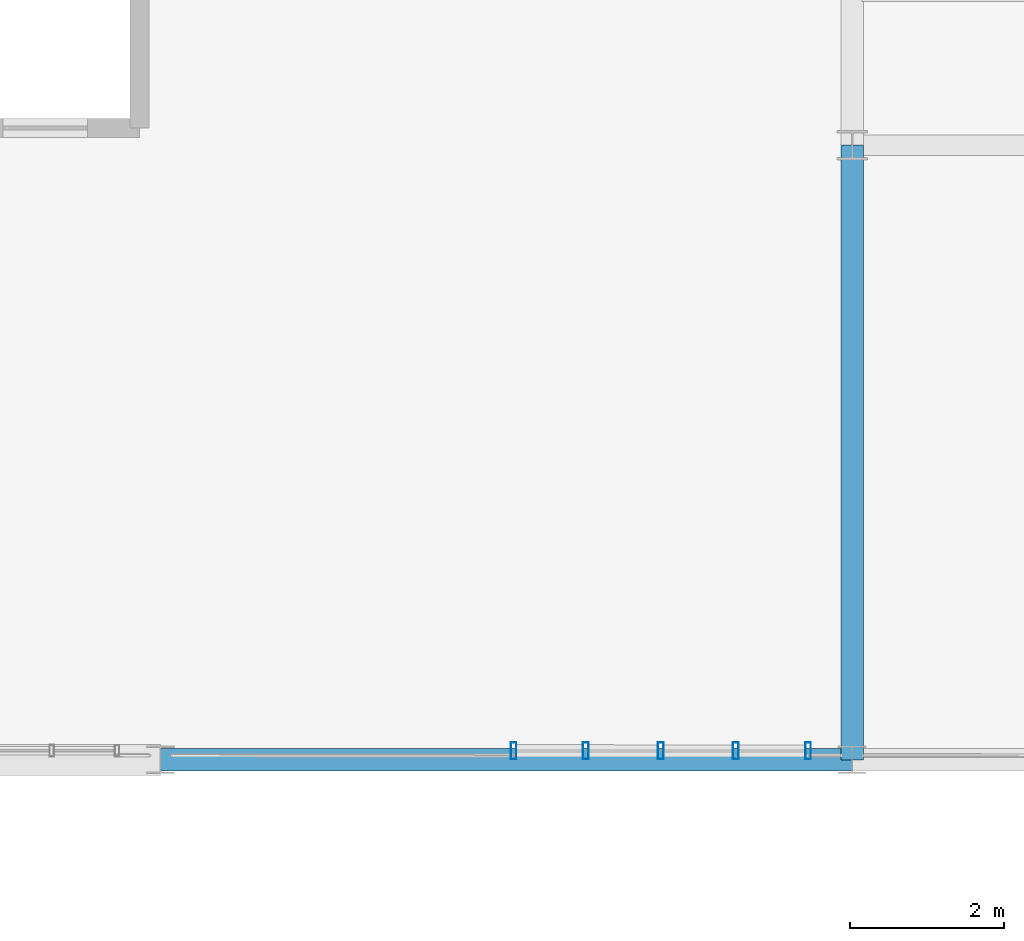
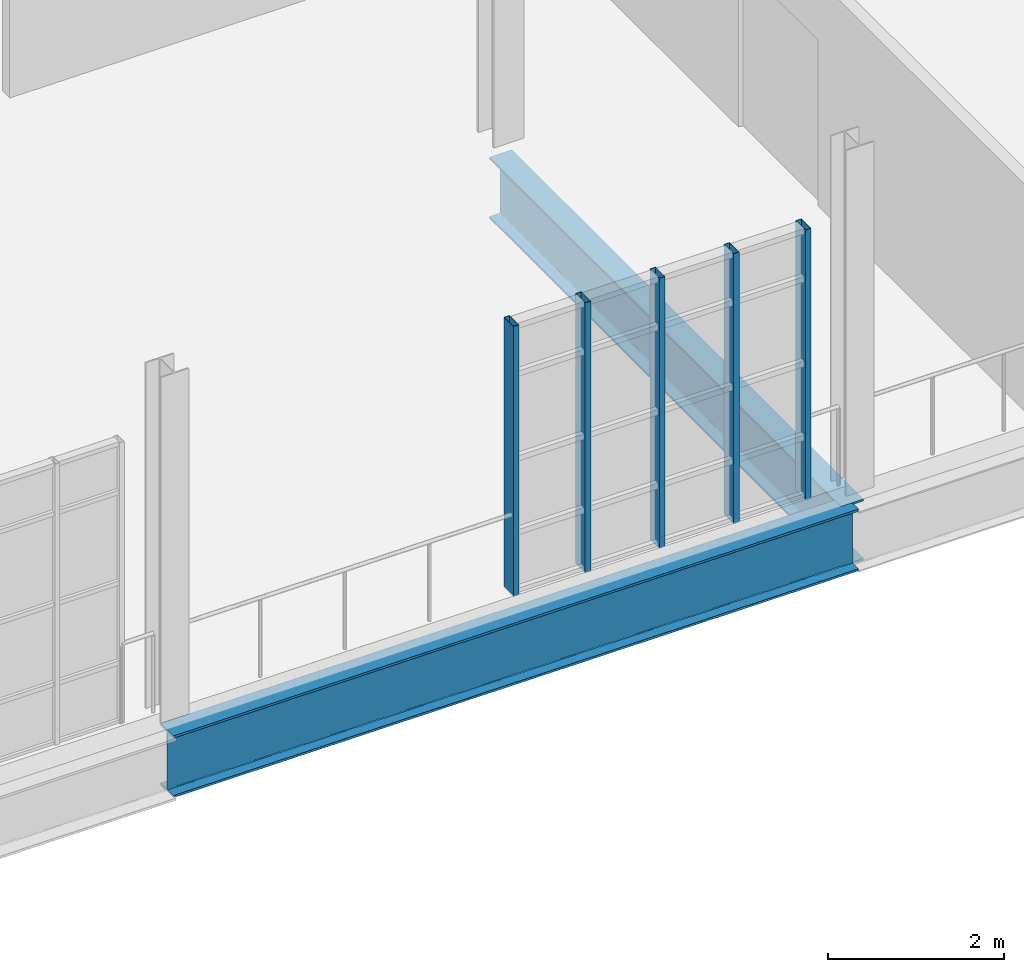
# One storey, part 19 of 122: 5 members, 2 beams, 1 element without a shape of its own.
"""IFC4 building model written with IfcOpenShell, lengths in metres."""

from ifc_helpers import new_model, si_unit, direction, frame, origin, origin_2d, place, context, subcontext, project, spatial, hollow_rectangle, i_section, extrude, material, layer, layer_set, material_profile, profile_set, type_object, element, aggregate, save


model = new_model("IFC4")

# Units and contexts
model_context = context("Model", 3, precision=1e-05, world=origin(), true_north=direction((0.0, 1.0)))
body_context = subcontext(model_context, "Body", "Model", "MODEL_VIEW")
ifc_project = project(units=[si_unit("LENGTHUNIT", "METRE"), si_unit("AREAUNIT", "SQUARE_METRE"), si_unit("VOLUMEUNIT", "CUBIC_METRE"), si_unit("PLANEANGLEUNIT", "RADIAN"), si_unit("MASSUNIT", "GRAM", prefix="KILO"), si_unit("THERMODYNAMICTEMPERATUREUNIT", "KELVIN"), si_unit("POWERUNIT", "WATT")], contexts=[model_context])

# Site, building, storey
site_placement = place(None, origin())
site = spatial("IfcSite", under=ifc_project, at=site_placement, CompositionType="ELEMENT")
building_placement = place(site_placement, origin())
building = spatial("IfcBuilding", under=site, at=building_placement, Name="Zelmaris Science Centre", CompositionType="ELEMENT")
storey_placement = place(building_placement, frame((0.0, 0.0, 10.800048828125)))
storey = spatial("IfcBuildingStorey", under=building, at=storey_placement, Name="L02", CompositionType="ELEMENT", Elevation=10.800048828125)

# Curtain wall, members
ifc_material_1 = material(Name="Anodised architectural aluminium 6063-T6", Category="aluminium")
ifc_layer = layer(ifc_material_1, 0.199951171875, Name="Anodised architectural aluminium 6063-T6")
ifc_layer_set = layer_set([ifc_layer], Name="Anodised architectural aluminium 6063-T6")
curtain_wall_type = type_object("IfcCurtainWallType", Name="Curtain Wall CW-02", PredefinedType="USERDEFINED", material=ifc_layer_set)
curtain_wall_placement = place(storey_placement, origin())
curtain_wall = element("IfcCurtainWall", 1, at=curtain_wall_placement, inside=storey, type_object=curtain_wall_type, Name="L02 Unitised curtain wall 254", ObjectType="GLAZED CURTAIN WALL", PredefinedType="USERDEFINED")
ifc_material_profile_1 = material_profile(ifc_material_1, hollow_rectangle(XDim=0.074951171875, YDim=0.219970703125, WallThickness=0.0048828125, at=origin_2d()), Name="ALU-MUL-75X220")
ifc_profile_set_1 = profile_set([ifc_material_profile_1], Name="Anodised architectural aluminium 6063-T6")
member_type = type_object("IfcMemberType", Name="ALU-MUL-75X220", PredefinedType="MULLION", material=ifc_profile_set_1)
member_1_placement = place(storey_placement, frame((71.426513671875, 64.1162109375, -0.01513671875), z_axis=(0.0, 0.0, 1.0), x_axis=(-0.999999970572, 0.000242600764, 0.0)))
member_1 = element("IfcMember", 2, at=member_1_placement, type_object=member_type, Name="CW-02 mullion 1", PredefinedType="MULLION", context=body_context, shape_type="SweptSolid", body=[
    extrude(hollow_rectangle(XDim=0.074951171875, YDim=0.219970703125, WallThickness=0.0048828125, at=origin_2d()), origin(), (0.0, 0.0, 1.0), 3.75),
])
member_2_placement = place(storey_placement, frame((70.485107421875, 64.116455078125, -0.01513671875), z_axis=(0.0, 0.0, 1.0), x_axis=(-0.999999970572, 0.000242600764, 0.0)))
member_2 = element("IfcMember", 3, at=member_2_placement, type_object=member_type, Name="CW-02 mullion 2", PredefinedType="MULLION", context=body_context, shape_type="SweptSolid", body=[
    extrude(hollow_rectangle(XDim=0.074951171875, YDim=0.219970703125, WallThickness=0.0048828125, at=origin_2d()), origin(), (0.0, 0.0, 1.0), 3.75),
])
member_3_placement = place(storey_placement, frame((69.510009765625, 64.11669921875, -0.01513671875), z_axis=(0.0, 0.0, 1.0), x_axis=(-0.999999970572, 0.000242600764, 0.0)))
member_3 = element("IfcMember", 4, at=member_3_placement, type_object=member_type, Name="CW-02 mullion 3", PredefinedType="MULLION", context=body_context, shape_type="SweptSolid", body=[
    extrude(hollow_rectangle(XDim=0.074951171875, YDim=0.219970703125, WallThickness=0.0048828125, at=origin_2d()), origin(), (0.0, 0.0, 1.0), 3.75),
])
member_4_placement = place(storey_placement, frame((68.534912109375, 64.116943359375, -0.01513671875), z_axis=(0.0, 0.0, 1.0), x_axis=(-0.999999970572, 0.000242600764, 0.0)))
member_4 = element("IfcMember", 5, at=member_4_placement, type_object=member_type, Name="CW-02 mullion 4", PredefinedType="MULLION", context=body_context, shape_type="SweptSolid", body=[
    extrude(hollow_rectangle(XDim=0.074951171875, YDim=0.219970703125, WallThickness=0.0048828125, at=origin_2d()), origin(), (0.0, 0.0, 1.0), 3.75),
])
member_5_placement = place(storey_placement, frame((67.593505859375, 64.1171875, -0.01513671875), z_axis=(0.0, 0.0, 1.0), x_axis=(-0.999999970572, 0.000242600764, 0.0)))
member_5 = element("IfcMember", 6, at=member_5_placement, type_object=member_type, Name="CW-02 mullion 5", PredefinedType="MULLION", context=body_context, shape_type="SweptSolid", body=[
    extrude(hollow_rectangle(XDim=0.074951171875, YDim=0.219970703125, WallThickness=0.0048828125, at=origin_2d()), origin(), (0.0, 0.0, 1.0), 3.75),
])
aggregate(curtain_wall, [member_1, member_2, member_3, member_4, member_5])

# Beams
ifc_material_2 = material(Name="Steel ASTM A992 Grade 50", Category="steel")
ifc_material_profile_2 = material_profile(ifc_material_2, i_section(OverallWidth=0.294921875, OverallDepth=0.85107421875, WebThickness=0.01611328125, FlangeThickness=0.02685546875, FilletRadius=0.02001953125, at=origin_2d()), Name="W33X152")
ifc_profile_set_2 = profile_set([ifc_material_profile_2], Name="Steel ASTM A992 Grade 50")
beam_type_1 = type_object("IfcBeamType", Name="Beam G-06 W33X152", PredefinedType="BEAM", material=ifc_profile_set_2)
beam_1_placement = place(storey_placement, frame((72.0, 64.0, -0.685546875), z_axis=(0.0, 1.0, 0.0), x_axis=(-1.0, 0.0, 0.0)))
element("IfcBeam", 7, at=beam_1_placement, inside=storey, type_object=beam_type_1, Name="L02 North-south girder 498", PredefinedType="BEAM", context=body_context, shape_type="SweptSolid", body=[
    extrude(i_section(OverallWidth=0.294921875, OverallDepth=0.85107421875, WebThickness=0.01611328125, FlangeThickness=0.02685546875, FilletRadius=0.02001953125, at=origin_2d()), origin(), (0.0, 0.0, 1.0), 8.0),
])
ifc_material_profile_3 = material_profile(ifc_material_2, i_section(OverallWidth=0.2919921875, OverallDepth=0.85888671875, WebThickness=0.01708984375, FlangeThickness=0.031005859375, FilletRadius=0.02001953125, at=origin_2d()), Name="W33X169")
ifc_profile_set_3 = profile_set([ifc_material_profile_3], Name="Steel ASTM A992 Grade 50")
beam_type_2 = type_object("IfcBeamType", Name="Beam G-29 W33X169", PredefinedType="BEAM", material=ifc_profile_set_3)
beam_2_placement = place(storey_placement, frame((63.0, 64.0, -0.689453125), z_axis=(1.0, 0.0, 0.0), x_axis=(0.0, 1.0, 0.0)))
element("IfcBeam", 8, at=beam_2_placement, inside=storey, type_object=beam_type_2, Name="L02 East-west girder 576", PredefinedType="BEAM", context=body_context, shape_type="SweptSolid", body=[
    extrude(i_section(OverallWidth=0.2919921875, OverallDepth=0.85888671875, WebThickness=0.01708984375, FlangeThickness=0.031005859375, FilletRadius=0.02001953125, at=origin_2d()), origin(), (0.0, 0.0, 1.0), 9.0),
])

save(model, "model.ifc")
